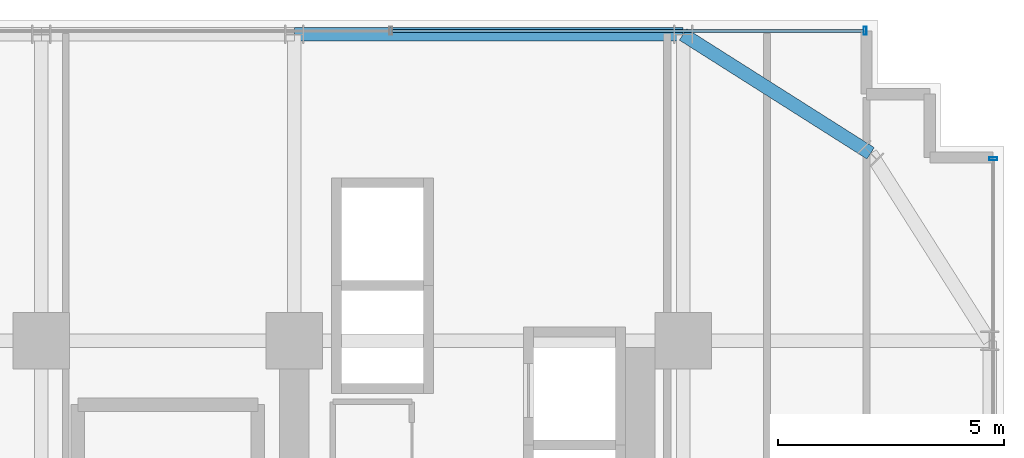
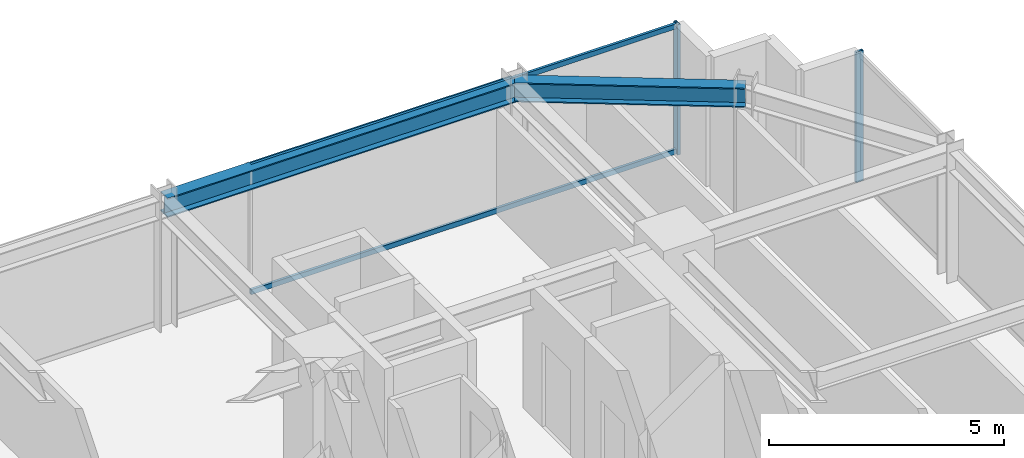
# One storey, part 23 of 31: 4 members, 2 beams, 2 elements without a shape of their own.
"""IFC4 building model written with IfcOpenShell, lengths in metres."""

from ifc_helpers import new_model, si_unit, direction, frame, origin, origin_2d, place, context, subcontext, project, spatial, hollow_rectangle, i_section, extrude, source, transform, mapped, material, material_profile, profile_set, type_object, element, aggregate, save


model = new_model("IFC4")

# Units and contexts
model_context = context("Model", 3, precision=1e-05, world=origin(), true_north=direction((0.0, 1.0)))
body_context = subcontext(model_context, "Body", "Model", "MODEL_VIEW")
ifc_project = project(units=[si_unit("LENGTHUNIT", "METRE"), si_unit("AREAUNIT", "SQUARE_METRE"), si_unit("VOLUMEUNIT", "CUBIC_METRE"), si_unit("PLANEANGLEUNIT", "RADIAN"), si_unit("MASSUNIT", "GRAM", prefix="KILO")], contexts=[model_context])

# Site, building, storey
site_placement = place(None, origin())
site = spatial("IfcSite", under=ifc_project, at=site_placement, CompositionType="ELEMENT")
building_placement = place(site_placement, origin())
building = spatial("IfcBuilding", under=site, at=building_placement, Name="Nahalor Promenade Grand Hotel", CompositionType="ELEMENT")
storey_placement = place(building_placement, frame((0.0, 0.0, 95.60009765625)))
storey = spatial("IfcBuildingStorey", under=building, at=storey_placement, Name="L23", CompositionType="ELEMENT", Elevation=95.60009765625)

# Beams
ifc_material_1 = material(Name="Steel S355JR", Category="steel")
ifc_material_profile_1 = material_profile(ifc_material_1, i_section(OverallWidth=0.3, OverallDepth=0.5, WebThickness=0.0145, FlangeThickness=0.028, at=origin_2d()), Name="HEB 500")
ifc_profile_set_1 = profile_set([ifc_material_profile_1], Name="Steel S355JR")
beam_type = type_object("IfcBeamType", Name="Beam-Spandrel-HEB500", PredefinedType="SPANDREL", material=ifc_profile_set_1)
shared_shape_1 = source(origin(), body_context, "Body", "SweptSolid", [
    extrude(i_section(OverallWidth=0.3, OverallDepth=0.5, WebThickness=0.0145, FlangeThickness=0.028, at=origin_2d()), origin(), (0.0, 0.0, 1.0), 8.60009765625),
])
beam_1_placement = place(storey_placement, frame((8.39990234375, 23.780029296875, 3.1298828125), z_axis=(1.0, 0.0, 0.0), x_axis=(0.0, 1.0, 0.0)))
element("IfcBeam", 1, at=beam_1_placement, inside=storey, type_object=beam_type, Name="BM-L23-SP-N-4", PredefinedType="SPANDREL", context=body_context, shape_type="MappedRepresentation", body=[
    mapped(shared_shape_1, transform((0.0, 0.0, 0.0), scale=1.0)),
])
shared_shape_2 = source(origin(), body_context, "Body", "SweptSolid", [
    extrude(i_section(OverallWidth=0.3, OverallDepth=0.5, WebThickness=0.0145, FlangeThickness=0.028, at=origin_2d()), origin(), (0.0, 0.0, 1.0), 4.9130859375),
])
beam_2_placement = place(storey_placement, frame((17.0, 23.780029296875, 3.1298828125), z_axis=(0.844648325505, -0.535321591403, 0.0), x_axis=(0.535321591403, 0.844648325505, 0.0)))
element("IfcBeam", 2, at=beam_2_placement, inside=storey, type_object=beam_type, Name="BM-L23-SPC-NE-1", PredefinedType="SPANDREL", context=body_context, shape_type="MappedRepresentation", body=[
    mapped(shared_shape_2, transform((0.0, 0.0, 0.0), scale=1.0)),
])

# Curtain wall, member
ifc_material_2 = material(Name="Anodised Bronze Aluminium EN AW-6063 T6", Category="aluminium")
curtain_wall_type = type_object("IfcCurtainWallType", Name="CW2 Typical Hotel Flush Bronze Unitised Curtain Wall", PredefinedType="USERDEFINED", material=ifc_material_2)
curtain_wall_1_placement = place(storey_placement, origin())
curtain_wall_1 = element("IfcCurtainWall", 3, at=curtain_wall_1_placement, inside=storey, type_object=curtain_wall_type, Name="L23 Curtain Wall CW-L23-N-1", ObjectType="UNITISED_CURTAIN_WALL", PredefinedType="USERDEFINED")
ifc_material_profile_2 = material_profile(ifc_material_2, hollow_rectangle(XDim=0.065, YDim=0.18, WallThickness=0.004, at=origin_2d()), Name="CWM 65x180x4")
ifc_profile_set_2 = profile_set([ifc_material_profile_2], Name="Anodised Bronze Aluminium EN AW-6063 T6")
member_type_1 = type_object("IfcMemberType", Name="CWM2 Typical Bronze Mullion 65x180", PredefinedType="MULLION", material=ifc_profile_set_2)
shared_shape_3 = source(origin(), body_context, "Body", "SweptSolid", [
    extrude(hollow_rectangle(XDim=0.065, YDim=0.18, WallThickness=0.004, at=origin_2d()), origin(), (0.0, 0.0, 1.0), 3.3798828125),
])
member_1_placement = place(storey_placement, frame((21.027587890625, 23.860107421875, 0.0), z_axis=(0.0, 0.0, 1.0), x_axis=(1.0, 0.0, 0.0)))
member_1 = element("IfcMember", 4, at=member_1_placement, type_object=member_type_1, Name="CW-L23-N-1 Mullion 4", PredefinedType="MULLION", context=body_context, shape_type="MappedRepresentation", body=[
    mapped(shared_shape_3, transform((0.0, 0.0, 0.0), scale=1.0)),
])

curtain_wall_2_placement = place(storey_placement, origin())
curtain_wall_2 = element("IfcCurtainWall", 5, at=curtain_wall_2_placement, inside=storey, type_object=curtain_wall_type, Name="L23 Curtain Wall CW-L23-E-1", ObjectType="UNITISED_CURTAIN_WALL", PredefinedType="USERDEFINED")
member_2_placement = place(storey_placement, frame((23.860107421875, 21.027587890625, 0.0), z_axis=(0.0, 0.0, 1.0), x_axis=(0.0, 1.0, 0.0)))
member_2 = element("IfcMember", 6, at=member_2_placement, type_object=member_type_1, Name="CW-L23-E-1 Mullion 4", PredefinedType="MULLION", context=body_context, shape_type="MappedRepresentation", body=[
    mapped(shared_shape_3, transform((0.0, 0.0, 0.0), scale=1.0)),
])
aggregate(curtain_wall_2, [member_2])

# Member
ifc_material_profile_3 = material_profile(ifc_material_2, hollow_rectangle(XDim=0.065, YDim=0.13, WallThickness=0.004, at=origin_2d()), Name="CWT 65x130x4")
ifc_profile_set_3 = profile_set([ifc_material_profile_3], Name="Anodised Bronze Aluminium EN AW-6063 T6")
member_type_2 = type_object("IfcMemberType", Name="CWT2 Typical Bronze Transom 65x130", PredefinedType="USERDEFINED", material=ifc_profile_set_3)
shared_shape_4 = source(origin(), body_context, "Body", "SweptSolid", [
    extrude(hollow_rectangle(XDim=0.065, YDim=0.13, WallThickness=0.004, at=origin_2d()), origin(), (0.0, 0.0, 1.0), 10.4326171875),
])
member_3_placement = place(storey_placement, frame((10.5625, 23.860107421875, 0.06494140625), z_axis=(1.0, 0.0, 0.0), x_axis=(0.0, 1.0, 0.0)))
member_3 = element("IfcMember", 7, at=member_3_placement, type_object=member_type_2, Name="CW-L23-N-1 Transom 3-0", ObjectType="TRANSOM", PredefinedType="USERDEFINED", context=body_context, shape_type="MappedRepresentation", body=[
    mapped(shared_shape_4, transform((0.0, 0.0, 0.0), scale=1.0)),
])

member_4_placement = place(storey_placement, frame((10.5625, 23.860107421875, 3.31494140625), z_axis=(1.0, 0.0, 0.0), x_axis=(0.0, 1.0, 0.0)))
member_4 = element("IfcMember", 8, at=member_4_placement, type_object=member_type_2, Name="CW-L23-N-1 Transom 3-1", ObjectType="TRANSOM", PredefinedType="USERDEFINED", context=body_context, shape_type="MappedRepresentation", body=[
    mapped(shared_shape_4, transform((0.0, 0.0, 0.0), scale=1.0)),
])

aggregate(curtain_wall_1, [member_1, member_3, member_4])

save(model, "model.ifc")
